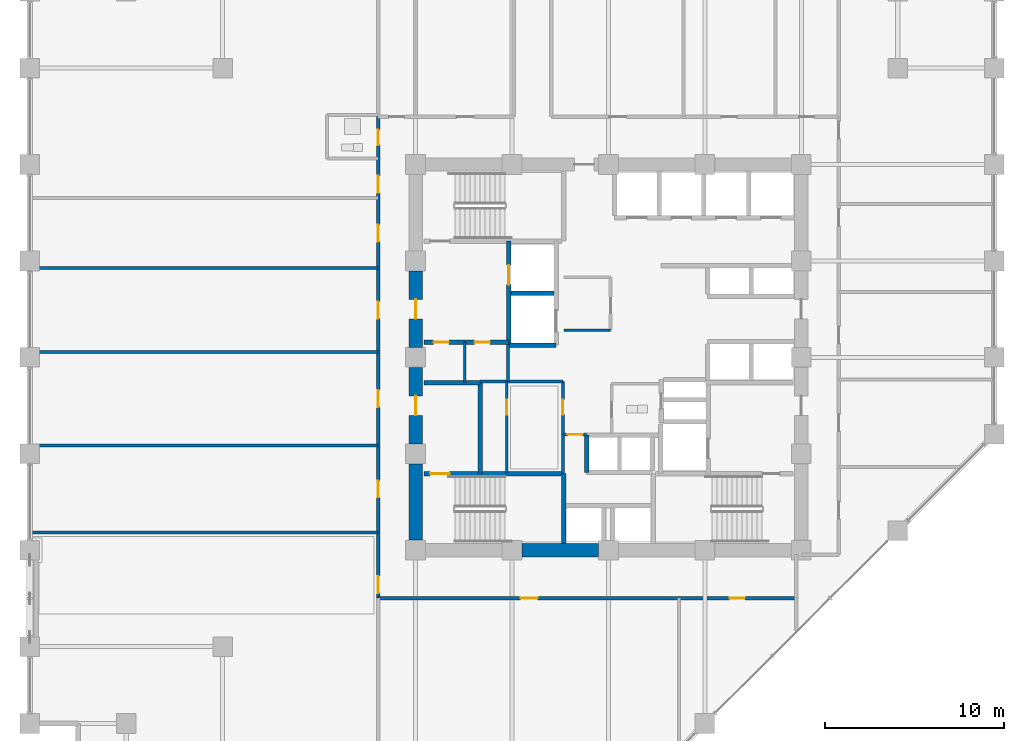
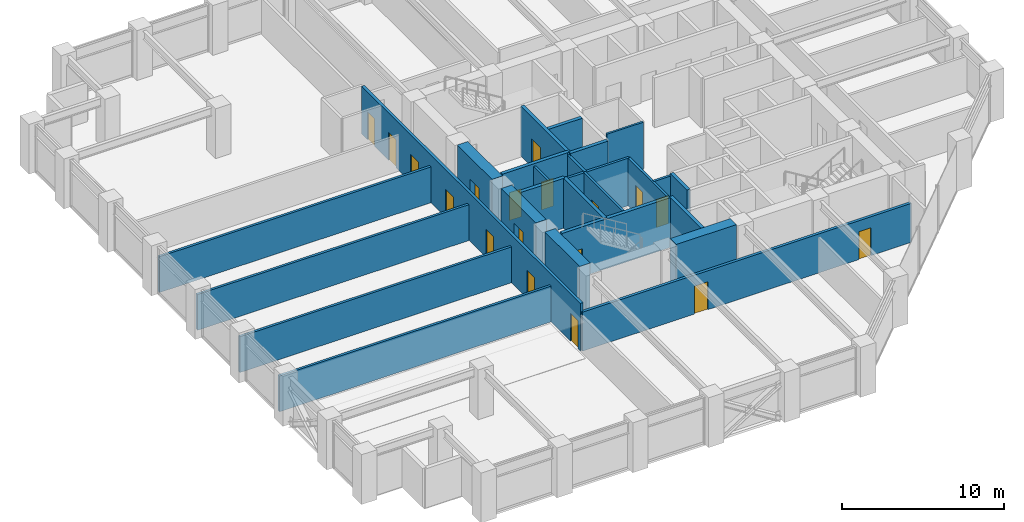
# One storey, part 19 of 25: 26 walls, 18 doors, 18 openings.
"""IFC4 building model written with IfcOpenShell, lengths in metres."""

from ifc_helpers import new_model, si_unit, direction, frame, frame_2d, origin, place, context, subcontext, project, spatial, rectangle, extrude, material, layer, layer_set, type_object, element, fill, save


model = new_model("IFC4")

# Units and contexts
model_context = context("Model", 3, precision=1e-05, world=origin(), true_north=direction((0.0, 1.0)))
body_context = subcontext(model_context, "Body", "Model", "MODEL_VIEW")
ifc_project = project(units=[si_unit("LENGTHUNIT", "METRE"), si_unit("AREAUNIT", "SQUARE_METRE"), si_unit("VOLUMEUNIT", "CUBIC_METRE"), si_unit("PLANEANGLEUNIT", "RADIAN"), si_unit("MASSUNIT", "GRAM", prefix="KILO")], contexts=[model_context])

# Site, building, storey
site_placement = place(None, origin())
site = spatial("IfcSite", under=ifc_project, at=site_placement, CompositionType="ELEMENT")
building_placement = place(site_placement, origin())
building = spatial("IfcBuilding", under=site, at=building_placement, Name="Surkhivell Harbour Commons", CompositionType="ELEMENT")
storey_placement = place(building_placement, frame((0.0, 0.0, 109.5)))
storey = spatial("IfcBuildingStorey", under=building, at=storey_placement, Name="L28", CompositionType="ELEMENT", Elevation=109.5)

# Walls
ifc_material_1 = material(Name="Concrete C60/75", Category="concrete")
ifc_layer_1 = layer(ifc_material_1, 0.75)
ifc_layer_set_1 = layer_set([ifc_layer_1], Name="Concrete C60/75")
wall_type_1 = type_object("IfcWallType", Name="WAL-CORE-750", PredefinedType="SHEAR", material=ifc_layer_set_1)
for number, where, z_axis, x_axis, name in (
    (1, (-10.800048828125, -10.239990234375, 0.0), (0.0, 0.0, 1.0), (0.0, 1.0, 0.0), "L28 Core Shear Wall West 1"),
    (2, (-4.840087890625, -10.800048828125, 0.0), (0.0, 0.0, 1.0), (1.0, 0.0, 0.0), "L28 Core Shear Wall South 2"),
):
    element("IfcWall", number, at=place(storey_placement, frame(where, z_axis=z_axis, x_axis=x_axis)), inside=storey, type_object=wall_type_1, Name=name, PredefinedType="SHEAR", context=body_context, shape_type="SweptSolid", body=[
        extrude(rectangle(XDim=4.280029296875, YDim=0.75, at=frame_2d((2.14013671875, 0.0))), origin(), (0.0, 0.0, 1.0), 3.75),
    ])

# Wall, opening, door
wall_1_placement = place(storey_placement, frame((-10.800048828125, -4.840087890625, 0.0), z_axis=(0.0, 0.0, 1.0), x_axis=(0.0, 1.0, 0.0)))
wall_1 = element("IfcWall", 3, at=wall_1_placement, inside=storey, type_object=wall_type_1, Name="L28 Core Shear Wall West 2", PredefinedType="SHEAR", context=body_context, shape_type="SweptSolid", body=[
    extrude(rectangle(XDim=4.280029296875, YDim=0.75, at=frame_2d((2.14013671875, 0.0))), origin(), (0.0, 0.0, 1.0), 3.75),
])
opening_1_placement = place(wall_1_placement, frame((1.590087890625, 0.0, 0.0)))
opening_1 = element("IfcOpeningElement", 4, at=opening_1_placement, cuts=wall_1, Name="Opening ID-2", PredefinedType="OPENING", context=body_context, shape_type="SweptSolid", body=[
    extrude(rectangle(XDim=1.10009765625, YDim=2.10009765625, at=frame_2d((0.550048828125, 1.050048828125))), frame((0.0, 0.385009765625, 0.0), z_axis=(0.0, -1.0, 0.0), x_axis=(1.0, 0.0, 0.0)), (0.0, 0.0, 1.0), 0.77001953125),
])
ifc_material_2 = material(Name="Hardwood-veneered fire-rated door leaf", Category="wood")
door_type_1 = type_object("IfcDoorType", Name="DOR-FD60-1100", OperationType="NOTDEFINED", PredefinedType="DOOR", material=ifc_material_2)
door_1_placement = place(opening_1_placement, origin())
door_1 = element("IfcDoor", 5, at=door_1_placement, inside=storey, type_object=door_type_1, Name="L28 Stair 3 Lobby Corridor Door", OperationType="SINGLE_SWING_LEFT", OverallHeight=2.10009765625, OverallWidth=1.10009765625, PredefinedType="DOOR", context=body_context, shape_type="SweptSolid", body=[
    extrude(rectangle(XDim=1.10009765625, YDim=2.10009765625, at=frame_2d((0.550048828125, 1.050048828125))), frame((0.0, 0.02490234375, 0.0), z_axis=(0.0, -1.0, 0.0), x_axis=(1.0, 0.0, 0.0)), (0.0, 0.0, 1.0), 0.050048828125),
])
fill(opening_1, door_1)

wall_2_placement = place(storey_placement, frame((-10.800048828125, 0.56005859375, 0.0), z_axis=(0.0, 0.0, 1.0), x_axis=(0.0, 1.0, 0.0)))
wall_2 = element("IfcWall", 6, at=wall_2_placement, inside=storey, type_object=wall_type_1, Name="L28 Core Shear Wall West 3", PredefinedType="SHEAR", context=body_context, shape_type="SweptSolid", body=[
    extrude(rectangle(XDim=4.280029296875, YDim=0.75, at=frame_2d((2.14013671875, 0.0))), origin(), (0.0, 0.0, 1.0), 3.75),
])
opening_2_placement = place(wall_2_placement, frame((1.590087890625, 0.0, 0.0)))
opening_2 = element("IfcOpeningElement", 7, at=opening_2_placement, cuts=wall_2, Name="Opening ID-1", PredefinedType="OPENING", context=body_context, shape_type="SweptSolid", body=[
    extrude(rectangle(XDim=1.10009765625, YDim=2.10009765625, at=frame_2d((0.550048828125, 1.050048828125))), frame((0.0, 0.385009765625, 0.0), z_axis=(0.0, -1.0, 0.0), x_axis=(1.0, 0.0, 0.0)), (0.0, 0.0, 1.0), 0.77001953125),
])
door_type_2 = type_object("IfcDoorType", Name="DOR-FD120-1100", OperationType="NOTDEFINED", PredefinedType="DOOR", material=ifc_material_2)
door_2_placement = place(opening_2_placement, origin())
door_2 = element("IfcDoor", 8, at=door_2_placement, inside=storey, type_object=door_type_2, Name="L28 Firefighting Lobby 1 Corridor Door", OperationType="SINGLE_SWING_LEFT", OverallHeight=2.10009765625, OverallWidth=1.10009765625, PredefinedType="DOOR", context=body_context, shape_type="SweptSolid", body=[
    extrude(rectangle(XDim=1.10009765625, YDim=2.10009765625, at=frame_2d((0.550048828125, 1.050048828125))), frame((0.0, 0.02490234375, 0.0), z_axis=(0.0, -1.0, 0.0), x_axis=(1.0, 0.0, 0.0)), (0.0, 0.0, 1.0), 0.050048828125),
])
fill(opening_2, door_2)

ifc_material_3 = material(Name="Twin-stud acoustic fireboard partition", Category="other")
ifc_layer_2 = layer(ifc_material_3, 0.14990234375)
ifc_layer_set_2 = layer_set([ifc_layer_2], Name="Twin-stud acoustic fireboard partition")
wall_type_2 = type_object("IfcWallType", Name="WAL-INT-150", PredefinedType="PARTITIONING", material=ifc_layer_set_2)
wall_3_placement = place(storey_placement, frame((-5.699951171875, -6.510009765625, 0.0), z_axis=(0.0, 0.0, 1.0), x_axis=(0.0, 1.0, 0.0)))
wall_3 = element("IfcWall", 9, at=wall_3_placement, inside=storey, type_object=wall_type_2, Name="L28 Core Cut B Partition", PredefinedType="PARTITIONING", context=body_context, shape_type="SweptSolid", body=[
    extrude(rectangle(XDim=5.159912109375, YDim=0.14990234375, at=frame_2d((2.580078125, 0.0))), origin(), (0.0, 0.0, 1.0), 3.570068359375),
])
opening_3_placement = place(wall_3_placement, frame((3.300048828125, 0.0, 0.0)))
opening_3 = element("IfcOpeningElement", 10, at=opening_3_placement, cuts=wall_3, Name="Opening ID-6", PredefinedType="OPENING", context=body_context, shape_type="SweptSolid", body=[
    extrude(rectangle(XDim=0.85009765625, YDim=2.10009765625, at=frame_2d((0.425048828125, 1.050048828125))), frame((0.0, 0.0849609375, 0.0), z_axis=(0.0, -1.0, 0.0), x_axis=(1.0, 0.0, 0.0)), (0.0, 0.0, 1.0), 0.169921875),
])
door_type_3 = type_object("IfcDoorType", Name="DOR-FD30-850", OperationType="NOTDEFINED", PredefinedType="DOOR", material=ifc_material_2)
door_3_placement = place(opening_3_placement, origin())
door_3 = element("IfcDoor", 11, at=door_3_placement, inside=storey, type_object=door_type_3, Name="L28 Core Focus Study Door", OperationType="SINGLE_SWING_RIGHT", OverallHeight=2.10009765625, OverallWidth=0.85009765625, PredefinedType="DOOR", context=body_context, shape_type="SweptSolid", body=[
    extrude(rectangle(XDim=0.85009765625, YDim=2.10009765625, at=frame_2d((0.425048828125, 1.050048828125))), frame((0.0, 0.02490234375, 0.0), z_axis=(0.0, -1.0, 0.0), x_axis=(1.0, 0.0, 0.0)), (0.0, 0.0, 1.0), 0.050048828125),
])
fill(opening_3, door_3)

# Walls
wall_4_placement = place(storey_placement, frame((-8.050048828125, -1.419921875, 0.0), z_axis=(0.0, 0.0, 1.0), x_axis=(0.0, 1.0, 0.0)))
element("IfcWall", 12, at=wall_4_placement, inside=storey, type_object=wall_type_2, Name="L28 West Seminar Booth Divider", PredefinedType="PARTITIONING", context=body_context, shape_type="SweptSolid", body=[
    extrude(rectangle(XDim=2.27001953125, YDim=0.14990234375, at=frame_2d((1.135009765625, 0.0))), origin(), (0.0, 0.0, 1.0), 3.570068359375),
])
wall_5_placement = place(storey_placement, frame((-2.47998046875, 1.52001953125, 0.0), z_axis=(0.0, 0.0, 1.0), x_axis=(1.0, 0.0, 0.0)))
element("IfcWall", 13, at=wall_5_placement, inside=storey, type_object=wall_type_2, Name="L28 Central Reading South Wall", PredefinedType="PARTITIONING", context=body_context, shape_type="SweptSolid", body=[
    extrude(rectangle(XDim=2.60009765625, YDim=0.14990234375, at=frame_2d((1.300048828125, 0.0))), origin(), (0.0, 0.0, 1.0), 3.570068359375),
])

# Wall, opening, door
ifc_material_4 = material(Name="High-density acoustic blockwork fire partition", Category="masonry")
ifc_layer_3 = layer(ifc_material_4, 0.175048828125)
ifc_layer_set_3 = layer_set([ifc_layer_3], Name="High-density acoustic blockwork fire partition")
wall_type_3 = type_object("IfcWallType", Name="WAL-INT-175", PredefinedType="PARTITIONING", material=ifc_layer_set_3)
wall_6_placement = place(storey_placement, frame((-2.550048828125, -6.510009765625, 0.0), z_axis=(0.0, 0.0, 1.0), x_axis=(0.0, 1.0, 0.0)))
wall_6 = element("IfcWall", 14, at=wall_6_placement, inside=storey, type_object=wall_type_3, Name="L28 Core Service Bay East Wall", PredefinedType="PARTITIONING", context=body_context, shape_type="SweptSolid", body=[
    extrude(rectangle(XDim=5.159912109375, YDim=0.175048828125, at=frame_2d((2.580078125, 0.0))), origin(), (0.0, 0.0, 1.0), 3.570068359375),
])
opening_4_placement = place(wall_6_placement, frame((3.300048828125, 0.0, 0.0)))
opening_4 = element("IfcOpeningElement", 15, at=opening_4_placement, cuts=wall_6, Name="Opening ID-6", PredefinedType="OPENING", context=body_context, shape_type="SweptSolid", body=[
    extrude(rectangle(XDim=0.85009765625, YDim=2.10009765625, at=frame_2d((0.425048828125, 1.050048828125))), frame((0.0, 0.097412109375, 0.0), z_axis=(0.0, -1.0, 0.0), x_axis=(1.0, 0.0, 0.0)), (0.0, 0.0, 1.0), 0.195068359375),
])
door_4_placement = place(opening_4_placement, origin())
door_4 = element("IfcDoor", 16, at=door_4_placement, inside=storey, type_object=door_type_3, Name="L28 Core Music Door", OperationType="SINGLE_SWING_LEFT", OverallHeight=2.10009765625, OverallWidth=0.85009765625, PredefinedType="DOOR", context=body_context, shape_type="SweptSolid", body=[
    extrude(rectangle(XDim=0.85009765625, YDim=2.10009765625, at=frame_2d((0.425048828125, 1.050048828125))), frame((0.0, 0.02490234375, 0.0), z_axis=(0.0, -1.0, 0.0), x_axis=(1.0, 0.0, 0.0)), (0.0, 0.0, 1.0), 0.050048828125),
])
fill(opening_4, door_4)

# Walls
wall_7_placement = place(storey_placement, frame((-7.179931640625, -1.35009765625, 0.0), z_axis=(0.0, 0.0, 1.0), x_axis=(1.0, 0.0, 0.0)))
element("IfcWall", 17, at=wall_7_placement, inside=storey, type_object=wall_type_3, Name="L28 Core Service Bay North Wall", PredefinedType="PARTITIONING", context=body_context, shape_type="SweptSolid", body=[
    extrude(rectangle(XDim=4.6298828125, YDim=0.175048828125, at=frame_2d((2.31494140625, 0.0))), origin(), (0.0, 0.0, 1.0), 3.570068359375),
])
wall_8_placement = place(storey_placement, frame((-5.6201171875, -1.35009765625, 0.0), z_axis=(0.0, 0.0, 1.0), x_axis=(0.0, 1.0, 0.0)))
element("IfcWall", 18, at=wall_8_placement, inside=storey, type_object=wall_type_3, Name="L28 West Core Bay East Wall", PredefinedType="PARTITIONING", context=body_context, shape_type="SweptSolid", body=[
    extrude(rectangle(XDim=2.070068359375, YDim=0.175048828125, at=frame_2d((1.03515625, 0.0))), origin(), (0.0, 0.0, 1.0), 3.570068359375),
])

# Wall, opening, door
wall_9_placement = place(storey_placement, frame((-2.52001953125, -4.320068359375, 0.0), z_axis=(0.0, 0.0, 1.0), x_axis=(1.0, 0.0, 0.0)))
wall_9 = element("IfcWall", 19, at=wall_9_placement, inside=storey, type_object=wall_type_3, Name="L28 High-Rise Lobby North Portal Wall", PredefinedType="PARTITIONING", context=body_context, shape_type="SweptSolid", body=[
    extrude(rectangle(XDim=1.300048828125, YDim=0.175048828125, at=frame_2d((0.64990234375, 0.0))), origin(), (0.0, 0.0, 1.0), 3.570068359375),
])
opening_5_placement = place(wall_9_placement, frame((0.219970703125, 0.0, 0.0)))
opening_5 = element("IfcOpeningElement", 20, at=opening_5_placement, cuts=wall_9, Name="Opening ID-6", PredefinedType="OPENING", context=body_context, shape_type="SweptSolid", body=[
    extrude(rectangle(XDim=0.85009765625, YDim=2.10009765625, at=frame_2d((0.425048828125, 1.050048828125))), frame((0.0, 0.097412109375, 0.0), z_axis=(0.0, -1.0, 0.0), x_axis=(1.0, 0.0, 0.0)), (0.0, 0.0, 1.0), 0.195068359375),
])
door_5_placement = place(opening_5_placement, origin())
door_5 = element("IfcDoor", 21, at=door_5_placement, inside=storey, type_object=door_type_3, Name="L28 High-Rise Lift Lobby North Door", OperationType="SINGLE_SWING_LEFT", OverallHeight=2.10009765625, OverallWidth=0.85009765625, PredefinedType="DOOR", context=body_context, shape_type="SweptSolid", body=[
    extrude(rectangle(XDim=0.85009765625, YDim=2.10009765625, at=frame_2d((0.425048828125, 1.050048828125))), frame((0.0, 0.02490234375, 0.0), z_axis=(0.0, -1.0, 0.0), x_axis=(1.0, 0.0, 0.0)), (0.0, 0.0, 1.0), 0.050048828125),
])
fill(opening_5, door_5)

# Walls
for number, where, z_axis, x_axis, name in (
    (22, (-32.340087890625, -4.929931640625, 0.0), (0.0, 0.0, 1.0), (1.0, 0.0, 0.0), "L28 West Partition BDP1"),
    (23, (-32.340087890625, 0.31005859375, 0.0), (0.0, 0.0, 1.0), (1.0, 0.0, 0.0), "L28 West Partition BDP2"),
    (24, (-32.340087890625, 5.0, 0.0), (0.0, 0.0, 1.0), (1.0, 0.0, 0.0), "L28 West Partition BDP3"),
    (25, (-32.340087890625, -9.800048828125, 0.0), (0.0, 0.0, 1.0), (1.0, 0.0, 0.0), "L28 West Partition PBOT"),
):
    element("IfcWall", number, at=place(storey_placement, frame(where, z_axis=z_axis, x_axis=x_axis)), inside=storey, type_object=wall_type_3, Name=name, PredefinedType="PARTITIONING", context=body_context, shape_type="SweptSolid", body=[
        extrude(rectangle(XDim=19.440185546875, YDim=0.175048828125, at=frame_2d((9.72021484375, 0.0))), origin(), (0.0, 0.0, 1.0), 2.698974609375),
    ])

# Wall, openings, doors
ifc_material_5 = material(Name="Autoclaved aerated concrete blockwork and fire plaster", Category="masonry")
ifc_layer_4 = layer(ifc_material_5, 0.199951171875)
ifc_layer_set_4 = layer_set([ifc_layer_4], Name="Autoclaved aerated concrete blockwork and fire plaster")
wall_type_4 = type_object("IfcWallType", Name="WAL-INT-200", PredefinedType="PARTITIONING", material=ifc_layer_set_4)
wall_10_placement = place(storey_placement, frame((-12.89990234375, -13.47998046875, 0.0), z_axis=(0.0, 0.0, 1.0), x_axis=(1.0, 0.0, 0.0)))
wall_10 = element("IfcWall", 26, at=wall_10_placement, inside=storey, type_object=wall_type_4, Name="L28 Corridor South Wall", PredefinedType="PARTITIONING", context=body_context, shape_type="SweptSolid", body=[
    extrude(rectangle(XDim=23.419921875, YDim=0.199951171875, at=frame_2d((11.7099609375, 0.0))), origin(), (0.0, 0.0, 1.0), 2.93310546875),
])
opening_6_placement = place(wall_10_placement, frame((7.97998046875, 0.0, 0.0)))
opening_6 = element("IfcOpeningElement", 27, at=opening_6_placement, cuts=wall_10, Name="Opening ID-4", PredefinedType="OPENING", context=body_context, shape_type="SweptSolid", body=[
    extrude(rectangle(XDim=0.949951171875, YDim=2.10009765625, at=frame_2d((0.47509765625, 1.050048828125))), frame((0.0, 0.10986328125, 0.0), z_axis=(0.0, -1.0, 0.0), x_axis=(1.0, 0.0, 0.0)), (0.0, 0.0, 1.0), 0.219970703125),
])
opening_7_placement = place(wall_10_placement, frame((19.68994140625, 0.0, 0.0)))
opening_7 = element("IfcOpeningElement", 28, at=opening_7_placement, cuts=wall_10, Name="Opening ID-6", PredefinedType="OPENING", context=body_context, shape_type="SweptSolid", body=[
    extrude(rectangle(XDim=0.85009765625, YDim=2.10009765625, at=frame_2d((0.425048828125, 1.050048828125))), frame((0.0, 0.10986328125, 0.0), z_axis=(0.0, -1.0, 0.0), x_axis=(1.0, 0.0, 0.0)), (0.0, 0.0, 1.0), 0.219970703125),
])
door_6_placement = place(opening_7_placement, origin())
door_6 = element("IfcDoor", 29, at=door_6_placement, inside=storey, type_object=door_type_3, Name="L28 Resident Advisory Reception Desk South Door", OperationType="SINGLE_SWING_LEFT", OverallHeight=2.10009765625, OverallWidth=0.85009765625, PredefinedType="DOOR", context=body_context, shape_type="SweptSolid", body=[
    extrude(rectangle(XDim=0.85009765625, YDim=2.10009765625, at=frame_2d((0.425048828125, 1.050048828125))), frame((0.0, 0.02490234375, 0.0), z_axis=(0.0, -1.0, 0.0), x_axis=(1.0, 0.0, 0.0)), (0.0, 0.0, 1.0), 0.050048828125),
])
fill(opening_7, door_6)
door_type_4 = type_object("IfcDoorType", Name="DOR-FD60-950", OperationType="NOTDEFINED", PredefinedType="DOOR", material=ifc_material_2)
door_7_placement = place(opening_6_placement, origin())
door_7 = element("IfcDoor", 30, at=door_7_placement, inside=storey, type_object=door_type_4, Name="L28 Zone Concierge Reception Foyer South Door", OperationType="SINGLE_SWING_RIGHT", OverallHeight=2.10009765625, OverallWidth=0.949951171875, PredefinedType="DOOR", context=body_context, shape_type="SweptSolid", body=[
    extrude(rectangle(XDim=0.949951171875, YDim=2.10009765625, at=frame_2d((0.47509765625, 1.050048828125))), frame((0.0, 0.02490234375, 0.0), z_axis=(0.0, -1.0, 0.0), x_axis=(1.0, 0.0, 0.0)), (0.0, 0.0, 1.0), 0.050048828125),
])
fill(opening_6, door_7)

wall_11_placement = place(storey_placement, frame((-12.89990234375, -13.47998046875, 0.0), z_axis=(0.0, 0.0, 1.0), x_axis=(0.0, 1.0, 0.0)))
wall_11 = element("IfcWall", 31, at=wall_11_placement, inside=storey, type_object=wall_type_4, Name="L28 Corridor West Wall", PredefinedType="PARTITIONING", context=body_context, shape_type="SweptSolid", body=[
    extrude(rectangle(XDim=26.9599609375, YDim=0.199951171875, at=frame_2d((13.47998046875, 0.0))), origin(), (0.0, 0.0, 1.0), 3.570068359375),
])
opening_8_placement = place(wall_11_placement, frame((0.280029296875, 0.0, 0.0)))
opening_8 = element("IfcOpeningElement", 32, at=opening_8_placement, cuts=wall_11, Name="Opening ID-4", PredefinedType="OPENING", context=body_context, shape_type="SweptSolid", body=[
    extrude(rectangle(XDim=0.949951171875, YDim=2.10009765625, at=frame_2d((0.47509765625, 1.050048828125))), frame((0.0, 0.10986328125, 0.0), z_axis=(0.0, -1.0, 0.0), x_axis=(1.0, 0.0, 0.0)), (0.0, 0.0, 1.0), 0.219970703125),
])
opening_9_placement = place(wall_11_placement, frame((25.364990234375, 0.0, 0.0)))
opening_9 = element("IfcOpeningElement", 33, at=opening_9_placement, cuts=wall_11, Name="Opening ID-6", PredefinedType="OPENING", context=body_context, shape_type="SweptSolid", body=[
    extrude(rectangle(XDim=0.85009765625, YDim=2.10009765625, at=frame_2d((0.425048828125, 1.050048828125))), frame((0.0, 0.10986328125, 0.0), z_axis=(0.0, -1.0, 0.0), x_axis=(1.0, 0.0, 0.0)), (0.0, 0.0, 1.0), 0.219970703125),
])
opening_10_placement = place(wall_11_placement, frame((22.68994140625, 0.0, 0.0)))
opening_10 = element("IfcOpeningElement", 34, at=opening_10_placement, cuts=wall_11, Name="Opening ID-4", PredefinedType="OPENING", context=body_context, shape_type="SweptSolid", body=[
    extrude(rectangle(XDim=0.949951171875, YDim=2.10009765625, at=frame_2d((0.47509765625, 1.050048828125))), frame((0.0, 0.10986328125, 0.0), z_axis=(0.0, -1.0, 0.0), x_axis=(1.0, 0.0, 0.0)), (0.0, 0.0, 1.0), 0.219970703125),
])
opening_11_placement = place(wall_11_placement, frame((5.635009765625, 0.0, 0.0)))
opening_11 = element("IfcOpeningElement", 35, at=opening_11_placement, cuts=wall_11, Name="Opening ID-4", PredefinedType="OPENING", context=body_context, shape_type="SweptSolid", body=[
    extrude(rectangle(XDim=0.949951171875, YDim=2.10009765625, at=frame_2d((0.47509765625, 1.050048828125))), frame((0.0, 0.10986328125, 0.0), z_axis=(0.0, -1.0, 0.0), x_axis=(1.0, 0.0, 0.0)), (0.0, 0.0, 1.0), 0.219970703125),
])
opening_12_placement = place(wall_11_placement, frame((10.68994140625, 0.0, 0.0)))
opening_12 = element("IfcOpeningElement", 36, at=opening_12_placement, cuts=wall_11, Name="Opening ID-4", PredefinedType="OPENING", context=body_context, shape_type="SweptSolid", body=[
    extrude(rectangle(XDim=0.949951171875, YDim=2.10009765625, at=frame_2d((0.47509765625, 1.050048828125))), frame((0.0, 0.10986328125, 0.0), z_axis=(0.0, -1.0, 0.0), x_axis=(1.0, 0.0, 0.0)), (0.0, 0.0, 1.0), 0.219970703125),
])
opening_13_placement = place(wall_11_placement, frame((15.655029296875, 0.0, 0.0)))
opening_13 = element("IfcOpeningElement", 37, at=opening_13_placement, cuts=wall_11, Name="Opening ID-4", PredefinedType="OPENING", context=body_context, shape_type="SweptSolid", body=[
    extrude(rectangle(XDim=0.949951171875, YDim=2.10009765625, at=frame_2d((0.47509765625, 1.050048828125))), frame((0.0, 0.10986328125, 0.0), z_axis=(0.0, -1.0, 0.0), x_axis=(1.0, 0.0, 0.0)), (0.0, 0.0, 1.0), 0.219970703125),
])
opening_14_placement = place(wall_11_placement, frame((19.965087890625, 0.0, 0.0)))
opening_14 = element("IfcOpeningElement", 38, at=opening_14_placement, cuts=wall_11, Name="Opening ID-4", PredefinedType="OPENING", context=body_context, shape_type="SweptSolid", body=[
    extrude(rectangle(XDim=0.949951171875, YDim=2.10009765625, at=frame_2d((0.47509765625, 1.050048828125))), frame((0.0, 0.10986328125, 0.0), z_axis=(0.0, -1.0, 0.0), x_axis=(1.0, 0.0, 0.0)), (0.0, 0.0, 1.0), 0.219970703125),
])
door_8_placement = place(opening_9_placement, origin())
door_8 = element("IfcDoor", 39, at=door_8_placement, inside=storey, type_object=door_type_3, Name="L28 Communal Shower Bathroom West Door", OperationType="SINGLE_SWING_RIGHT", OverallHeight=2.10009765625, OverallWidth=0.85009765625, PredefinedType="DOOR", context=body_context, shape_type="SweptSolid", body=[
    extrude(rectangle(XDim=0.85009765625, YDim=2.10009765625, at=frame_2d((0.425048828125, 1.050048828125))), frame((0.0, 0.02490234375, 0.0), z_axis=(0.0, -1.0, 0.0), x_axis=(1.0, 0.0, 0.0)), (0.0, 0.0, 1.0), 0.050048828125),
])
fill(opening_9, door_8)
door_9_placement = place(opening_8_placement, origin())
door_9 = element("IfcDoor", 40, at=door_9_placement, inside=storey, type_object=door_type_4, Name="L28 Shared Communal Kitchen West Door", OperationType="SINGLE_SWING_LEFT", OverallHeight=2.10009765625, OverallWidth=0.949951171875, PredefinedType="DOOR", context=body_context, shape_type="SweptSolid", body=[
    extrude(rectangle(XDim=0.949951171875, YDim=2.10009765625, at=frame_2d((0.47509765625, 1.050048828125))), frame((0.0, 0.02490234375, 0.0), z_axis=(0.0, -1.0, 0.0), x_axis=(1.0, 0.0, 0.0)), (0.0, 0.0, 1.0), 0.050048828125),
])
fill(opening_8, door_9)
door_10_placement = place(opening_10_placement, origin())
door_10 = element("IfcDoor", 41, at=door_10_placement, inside=storey, type_object=door_type_4, Name="L28 Academic Reading Commons West Door", OperationType="SINGLE_SWING_LEFT", OverallHeight=2.10009765625, OverallWidth=0.949951171875, PredefinedType="DOOR", context=body_context, shape_type="SweptSolid", body=[
    extrude(rectangle(XDim=0.949951171875, YDim=2.10009765625, at=frame_2d((0.47509765625, 1.050048828125))), frame((0.0, 0.02490234375, 0.0), z_axis=(0.0, -1.0, 0.0), x_axis=(1.0, 0.0, 0.0)), (0.0, 0.0, 1.0), 0.050048828125),
])
fill(opening_10, door_10)
door_11_placement = place(opening_11_placement, origin())
door_11 = element("IfcDoor", 42, at=door_11_placement, inside=storey, type_object=door_type_4, Name="L28 Hostel Cluster Bedroom 1 West Door", OperationType="SINGLE_SWING_RIGHT", OverallHeight=2.10009765625, OverallWidth=0.949951171875, PredefinedType="DOOR", context=body_context, shape_type="SweptSolid", body=[
    extrude(rectangle(XDim=0.949951171875, YDim=2.10009765625, at=frame_2d((0.47509765625, 1.050048828125))), frame((0.0, 0.02490234375, 0.0), z_axis=(0.0, -1.0, 0.0), x_axis=(1.0, 0.0, 0.0)), (0.0, 0.0, 1.0), 0.050048828125),
])
fill(opening_11, door_11)
door_12_placement = place(opening_12_placement, origin())
door_12 = element("IfcDoor", 43, at=door_12_placement, inside=storey, type_object=door_type_4, Name="L28 Co-Living Dormitory Bedroom 2 West Door", OperationType="SINGLE_SWING_LEFT", OverallHeight=2.10009765625, OverallWidth=0.949951171875, PredefinedType="DOOR", context=body_context, shape_type="SweptSolid", body=[
    extrude(rectangle(XDim=0.949951171875, YDim=2.10009765625, at=frame_2d((0.47509765625, 1.050048828125))), frame((0.0, 0.02490234375, 0.0), z_axis=(0.0, -1.0, 0.0), x_axis=(1.0, 0.0, 0.0)), (0.0, 0.0, 1.0), 0.050048828125),
])
fill(opening_12, door_12)
door_13_placement = place(opening_13_placement, origin())
door_13 = element("IfcDoor", 44, at=door_13_placement, inside=storey, type_object=door_type_4, Name="L28 Hostel Cluster Bedroom 3 West Door", OperationType="SINGLE_SWING_RIGHT", OverallHeight=2.10009765625, OverallWidth=0.949951171875, PredefinedType="DOOR", context=body_context, shape_type="SweptSolid", body=[
    extrude(rectangle(XDim=0.949951171875, YDim=2.10009765625, at=frame_2d((0.47509765625, 1.050048828125))), frame((0.0, 0.02490234375, 0.0), z_axis=(0.0, -1.0, 0.0), x_axis=(1.0, 0.0, 0.0)), (0.0, 0.0, 1.0), 0.050048828125),
])
fill(opening_13, door_13)
door_14_placement = place(opening_14_placement, origin())
door_14 = element("IfcDoor", 45, at=door_14_placement, inside=storey, type_object=door_type_4, Name="L28 Co-Living Dormitory Bedroom 4 West Door", OperationType="SINGLE_SWING_LEFT", OverallHeight=2.10009765625, OverallWidth=0.949951171875, PredefinedType="DOOR", context=body_context, shape_type="SweptSolid", body=[
    extrude(rectangle(XDim=0.949951171875, YDim=2.10009765625, at=frame_2d((0.47509765625, 1.050048828125))), frame((0.0, 0.02490234375, 0.0), z_axis=(0.0, -1.0, 0.0), x_axis=(1.0, 0.0, 0.0)), (0.0, 0.0, 1.0), 0.050048828125),
])
fill(opening_14, door_14)

# Wall, opening, door
ifc_material_6 = material(Name="Concrete C50/60", Category="concrete")
ifc_layer_5 = layer(ifc_material_6, 0.25)
ifc_layer_set_5 = layer_set([ifc_layer_5], Name="Concrete C50/60")
wall_type_5 = type_object("IfcWallType", Name="WAL-SHAFT-250", PredefinedType="SHEAR", material=ifc_layer_set_5)
wall_12_placement = place(storey_placement, frame((-5.580078125, 0.719970703125, 0.0), z_axis=(0.0, 0.0, 1.0), x_axis=(0.0, 1.0, 0.0)))
wall_12 = element("IfcWall", 46, at=wall_12_placement, inside=storey, type_object=wall_type_5, Name="L28 Firefighting Lobby 1 East Shaft Wall", PredefinedType="SHEAR", context=body_context, shape_type="SweptSolid", body=[
    extrude(rectangle(XDim=5.7900390625, YDim=0.25, at=frame_2d((2.89501953125, 0.0))), origin(), (0.0, 0.0, 1.0), 3.75),
])
opening_15_placement = place(wall_12_placement, frame((3.35009765625, 0.0, 0.0)))
opening_15 = element("IfcOpeningElement", 47, at=opening_15_placement, cuts=wall_12, Name="Opening LD-1", PredefinedType="OPENING", context=body_context, shape_type="SweptSolid", body=[
    extrude(rectangle(XDim=1.10009765625, YDim=2.10009765625, at=frame_2d((0.550048828125, 1.050048828125))), frame((0.0, 0.135009765625, 0.0), z_axis=(0.0, -1.0, 0.0), x_axis=(1.0, 0.0, 0.0)), (0.0, 0.0, 1.0), 0.27001953125),
])
ifc_material_7 = material(Name="Brushed stainless steel S355", Category="steel")
door_type_5 = type_object("IfcDoorType", Name="DOR-LD-1100", OperationType="SLIDING_TO_LEFT", PredefinedType="DOOR", material=ifc_material_7)
door_15_placement = place(opening_15_placement, origin())
door_15 = element("IfcDoor", 48, at=door_15_placement, inside=storey, type_object=door_type_5, Name="L28 Lift Landing Door LD-FFL1", OperationType="SLIDING_TO_LEFT", OverallHeight=2.10009765625, OverallWidth=1.10009765625, PredefinedType="DOOR", context=body_context, shape_type="SweptSolid", body=[
    extrude(rectangle(XDim=1.10009765625, YDim=2.10009765625, at=frame_2d((0.550048828125, 1.050048828125))), frame((0.0, 0.02490234375, 0.0), z_axis=(0.0, -1.0, 0.0), x_axis=(1.0, 0.0, 0.0)), (0.0, 0.0, 1.0), 0.050048828125),
])
fill(opening_15, door_15)

# Wall, openings, doors
wall_13_placement = place(storey_placement, frame((-10.340087890625, 0.85009765625, 0.0), z_axis=(0.0, 0.0, 1.0), x_axis=(1.0, 0.0, 0.0)))
wall_13 = element("IfcWall", 49, at=wall_13_placement, inside=storey, type_object=wall_type_5, Name="L28 Firefighting Lobby 1 South Wall", PredefinedType="SHEAR", context=body_context, shape_type="SweptSolid", body=[
    extrude(rectangle(XDim=4.760009765625, YDim=0.25, at=frame_2d((2.3798828125, 0.0))), origin(), (0.0, 0.0, 1.0), 3.75),
])
opening_16_placement = place(wall_13_placement, frame((0.550048828125, 0.0, 0.0)))
opening_16 = element("IfcOpeningElement", 50, at=opening_16_placement, cuts=wall_13, Name="Opening ID-6", PredefinedType="OPENING", context=body_context, shape_type="SweptSolid", body=[
    extrude(rectangle(XDim=0.85009765625, YDim=2.10009765625, at=frame_2d((0.425048828125, 1.050048828125))), frame((0.0, 0.135009765625, 0.0), z_axis=(0.0, -1.0, 0.0), x_axis=(1.0, 0.0, 0.0)), (0.0, 0.0, 1.0), 0.27001953125),
])
opening_17_placement = place(wall_13_placement, frame((2.85009765625, 0.0, 0.0)))
opening_17 = element("IfcOpeningElement", 51, at=opening_17_placement, cuts=wall_13, Name="Opening ID-6", PredefinedType="OPENING", context=body_context, shape_type="SweptSolid", body=[
    extrude(rectangle(XDim=0.85009765625, YDim=2.10009765625, at=frame_2d((0.425048828125, 1.050048828125))), frame((0.0, 0.135009765625, 0.0), z_axis=(0.0, -1.0, 0.0), x_axis=(1.0, 0.0, 0.0)), (0.0, 0.0, 1.0), 0.27001953125),
])
door_16_placement = place(opening_16_placement, origin())
door_16 = element("IfcDoor", 52, at=door_16_placement, inside=storey, type_object=door_type_3, Name="L28 West Seminar 1 Door", OperationType="SINGLE_SWING_LEFT", OverallHeight=2.10009765625, OverallWidth=0.85009765625, PredefinedType="DOOR", context=body_context, shape_type="SweptSolid", body=[
    extrude(rectangle(XDim=0.85009765625, YDim=2.10009765625, at=frame_2d((0.425048828125, 1.050048828125))), frame((0.0, 0.02490234375, 0.0), z_axis=(0.0, -1.0, 0.0), x_axis=(1.0, 0.0, 0.0)), (0.0, 0.0, 1.0), 0.050048828125),
])
fill(opening_16, door_16)
door_17_placement = place(opening_17_placement, origin())
door_17 = element("IfcDoor", 53, at=door_17_placement, inside=storey, type_object=door_type_3, Name="L28 West Seminar 2 Door", OperationType="SINGLE_SWING_RIGHT", OverallHeight=2.10009765625, OverallWidth=0.85009765625, PredefinedType="DOOR", context=body_context, shape_type="SweptSolid", body=[
    extrude(rectangle(XDim=0.85009765625, YDim=2.10009765625, at=frame_2d((0.425048828125, 1.050048828125))), frame((0.0, 0.02490234375, 0.0), z_axis=(0.0, -1.0, 0.0), x_axis=(1.0, 0.0, 0.0)), (0.0, 0.0, 1.0), 0.050048828125),
])
fill(opening_17, door_17)

# Walls
wall_14_placement = place(storey_placement, frame((-1.219970703125, -6.43994140625, 0.0), z_axis=(0.0, 0.0, 1.0), x_axis=(0.0, 1.0, 0.0)))
element("IfcWall", 54, at=wall_14_placement, inside=storey, type_object=wall_type_5, Name="L28 High-Rise Passage East Shaft Wall", PredefinedType="SHEAR", context=body_context, shape_type="SweptSolid", body=[
    extrude(rectangle(XDim=2.079833984375, YDim=0.25, at=frame_2d((1.0400390625, 0.0))), origin(), (0.0, 0.0, 1.0), 3.75),
])
wall_15_placement = place(storey_placement, frame((-2.510009765625, -10.425048828125, 0.0), z_axis=(0.0, 0.0, 1.0), x_axis=(0.0, 1.0, 0.0)))
element("IfcWall", 55, at=wall_15_placement, inside=storey, type_object=wall_type_5, Name="L28 Stair ST3 East Shear Wall", PredefinedType="SHEAR", context=body_context, shape_type="SweptSolid", body=[
    extrude(rectangle(XDim=3.9150390625, YDim=0.25, at=frame_2d((1.95751953125, 0.0))), origin(), (0.0, 0.0, 1.0), 3.75),
])
wall_16_placement = place(storey_placement, frame((-7.179931640625, -6.510009765625, 0.0), z_axis=(0.0, 0.0, 1.0), x_axis=(0.0, 1.0, 0.0)))
element("IfcWall", 56, at=wall_16_placement, inside=storey, type_object=wall_type_5, Name="L28 Stair 3 Lobby East Wall", PredefinedType="SHEAR", context=body_context, shape_type="SweptSolid", body=[
    extrude(rectangle(XDim=5.090087890625, YDim=0.25, at=frame_2d((2.544921875, 0.0))), origin(), (0.0, 0.0, 1.0), 3.75),
])
wall_17_placement = place(storey_placement, frame((-10.340087890625, -1.419921875, 0.0), z_axis=(0.0, 0.0, 1.0), x_axis=(1.0, 0.0, 0.0)))
element("IfcWall", 57, at=wall_17_placement, inside=storey, type_object=wall_type_5, Name="L28 Stair 3 Lobby North Wall", PredefinedType="SHEAR", context=body_context, shape_type="SweptSolid", body=[
    extrude(rectangle(XDim=3.16015625, YDim=0.25, at=frame_2d((1.580078125, 0.0))), origin(), (0.0, 0.0, 1.0), 3.75),
])

# Wall, opening, door
wall_18_placement = place(storey_placement, frame((-10.340087890625, -6.510009765625, 0.0), z_axis=(0.0, 0.0, 1.0), x_axis=(1.0, 0.0, 0.0)))
wall_18 = element("IfcWall", 58, at=wall_18_placement, inside=storey, type_object=wall_type_5, Name="L28 Stair ST3 North Shear Wall", PredefinedType="SHEAR", context=body_context, shape_type="SweptSolid", body=[
    extrude(rectangle(XDim=7.7001953125, YDim=0.25, at=frame_2d((3.85009765625, 0.0))), origin(), (0.0, 0.0, 1.0), 3.75),
])
opening_18_placement = place(wall_18_placement, frame((0.35009765625, 0.0, 0.0)))
opening_18 = element("IfcOpeningElement", 59, at=opening_18_placement, cuts=wall_18, Name="Opening ID-2", PredefinedType="OPENING", context=body_context, shape_type="SweptSolid", body=[
    extrude(rectangle(XDim=1.10009765625, YDim=2.10009765625, at=frame_2d((0.550048828125, 1.050048828125))), frame((0.0, 0.135009765625, 0.0), z_axis=(0.0, -1.0, 0.0), x_axis=(1.0, 0.0, 0.0)), (0.0, 0.0, 1.0), 0.27001953125),
])
door_18_placement = place(opening_18_placement, origin())
door_18 = element("IfcDoor", 60, at=door_18_placement, inside=storey, type_object=door_type_1, Name="L28 Stair ST3 Exit Door", OperationType="SINGLE_SWING_RIGHT", OverallHeight=2.10009765625, OverallWidth=1.10009765625, PredefinedType="DOOR", context=body_context, shape_type="SweptSolid", body=[
    extrude(rectangle(XDim=1.10009765625, YDim=2.10009765625, at=frame_2d((0.550048828125, 1.050048828125))), frame((0.0, 0.02490234375, 0.0), z_axis=(0.0, -1.0, 0.0), x_axis=(1.0, 0.0, 0.0)), (0.0, 0.0, 1.0), 0.050048828125),
])
fill(opening_18, door_18)

# Walls
wall_19_placement = place(storey_placement, frame((-5.449951171875, 3.60009765625, 0.0), z_axis=(0.0, 0.0, 1.0), x_axis=(1.0, 0.0, 0.0)))
element("IfcWall", 61, at=wall_19_placement, inside=storey, type_object=wall_type_5, Name="L28 FFL1/SVL1 Shaft Divider", PredefinedType="SHEAR", context=body_context, shape_type="SweptSolid", body=[
    extrude(rectangle(XDim=2.389892578125, YDim=0.25, at=frame_2d((1.19482421875, 0.0))), origin(), (0.0, 0.0, 1.0), 3.75),
])
wall_20_placement = place(storey_placement, frame((-5.580078125, 0.679931640625, 0.0), z_axis=(0.0, 0.0, 1.0), x_axis=(1.0, 0.0, 0.0)))
element("IfcWall", 62, at=wall_20_placement, inside=storey, type_object=wall_type_5, Name="L28 SVL1 South Shaft Wall", PredefinedType="SHEAR", context=body_context, shape_type="SweptSolid", body=[
    extrude(rectangle(XDim=2.650146484375, YDim=0.25, at=frame_2d((1.3251953125, 0.0))), origin(), (0.0, 0.0, 1.0), 3.75),
])

save(model, "model.ifc")
